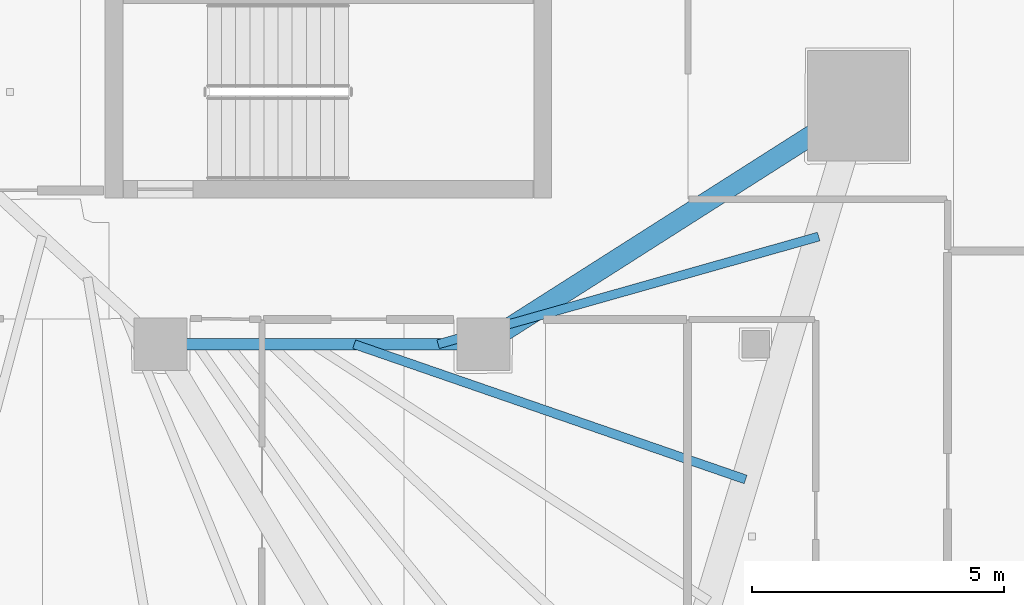
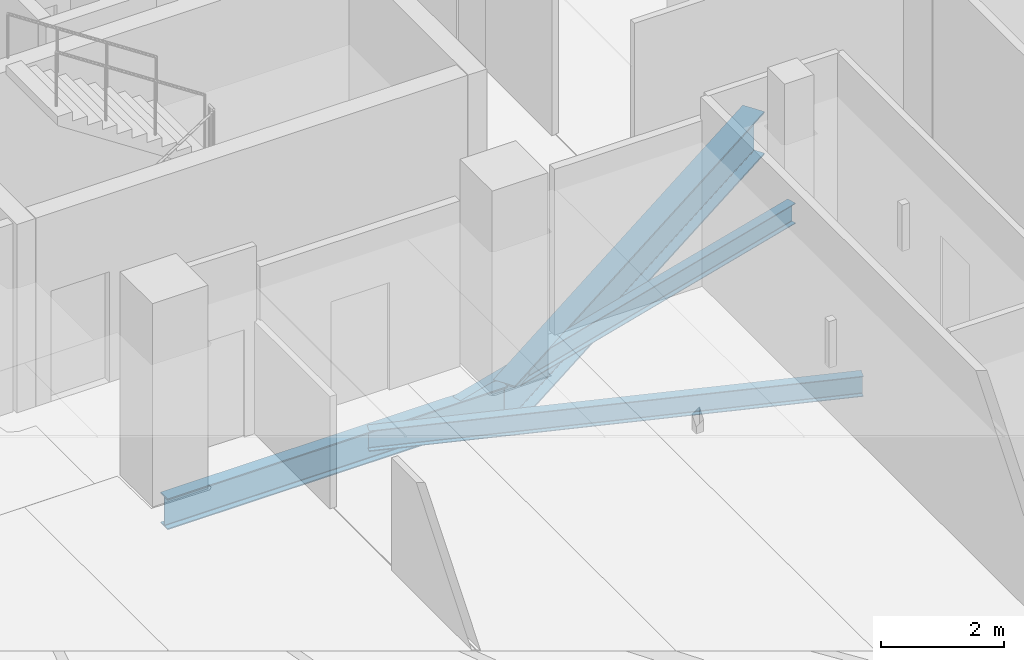
# One storey, part 10 of 36: 4 beams.
"""IFC4 building model written with IfcOpenShell, lengths in metres."""

from ifc_helpers import new_model, si_unit, direction, frame, origin, origin_2d, place, context, subcontext, project, spatial, i_section, extrude, material, material_profile, profile_set, type_object, element, save


model = new_model("IFC4")

# Units and contexts
model_context = context("Model", 3, precision=1e-05, world=origin(), true_north=direction((0.0, 1.0)))
body_context = subcontext(model_context, "Body", "Model", "MODEL_VIEW")
ifc_project = project(units=[si_unit("LENGTHUNIT", "METRE"), si_unit("AREAUNIT", "SQUARE_METRE"), si_unit("VOLUMEUNIT", "CUBIC_METRE"), si_unit("PLANEANGLEUNIT", "RADIAN"), si_unit("MASSUNIT", "GRAM", prefix="KILO")], contexts=[model_context])

# Site, building, storey
site_placement = place(None, origin())
site = spatial("IfcSite", under=ifc_project, at=site_placement, CompositionType="ELEMENT")
building_placement = place(site_placement, origin())
building = spatial("IfcBuilding", under=site, at=building_placement, Name="Qorvath Tower", CompositionType="ELEMENT")
storey_placement = place(building_placement, frame((0.0, 0.0, 170.550048828125)))
storey = spatial("IfcBuildingStorey", under=building, at=storey_placement, Name="L39", CompositionType="ELEMENT", Elevation=170.550048828125)

# Beams
ifc_material_1 = material(Name="Steel ASTM A992 Grade 50", Category="steel")
ifc_material_profile_1 = material_profile(ifc_material_1, i_section(OverallWidth=0.39892578125, OverallDepth=0.85498046875, WebThickness=0.018310546875, FlangeThickness=0.029296875, FilletRadius=0.02001953125, at=origin_2d()), Name="W33x201")
ifc_profile_set_1 = profile_set([ifc_material_profile_1], Name="Steel ASTM A992 Grade 50")
beam_type_1 = type_object("IfcBeamType", Name="BM-FG2", PredefinedType="BEAM", material=ifc_profile_set_1)
beam_1_placement = place(storey_placement, frame((-17.199951171875, -11.449951171875, -0.697509765625), z_axis=(0.843634090834, 0.536918542037, 0.0), x_axis=(-0.536918542037, 0.843634090834, 0.0)))
element("IfcBeam", 1, at=beam_1_placement, inside=storey, type_object=beam_type_1, Name="Radial Floor Girder CC3-MC4 L39", PredefinedType="BEAM", context=body_context, shape_type="SweptSolid", body=[
    extrude(i_section(OverallWidth=0.39892578125, OverallDepth=0.85498046875, WebThickness=0.018310546875, FlangeThickness=0.029296875, FilletRadius=0.02001953125, at=origin_2d()), origin(), (0.0, 0.0, 1.0), 8.806884765625),
])
ifc_material_2 = material(Name="Steel ASTM A992 Grade 50", Category="steel")
ifc_material_profile_2 = material_profile(ifc_material_2, i_section(OverallWidth=0.22998046875, OverallDepth=0.616943359375, WebThickness=0.01318359375, FlangeThickness=0.022216796875, FilletRadius=0.014892578125, at=origin_2d()), Name="W24x94")
ifc_profile_set_2 = profile_set([ifc_material_profile_2], Name="Steel ASTM A992 Grade 50")
beam_type_2 = type_object("IfcBeamType", Name="BM-FG6", PredefinedType="BEAM", material=ifc_profile_set_2)
beam_2_placement = place(storey_placement, frame((-17.199951171875, -11.449951171875, -0.57861328125), z_axis=(-1.0, 0.0, 0.0), x_axis=(0.0, -1.0, 0.0)))
element("IfcBeam", 2, at=beam_2_placement, inside=storey, type_object=beam_type_2, Name="Core Ring Girder CC3-CC4 L39", PredefinedType="BEAM", context=body_context, shape_type="SweptSolid", body=[
    extrude(i_section(OverallWidth=0.22998046875, OverallDepth=0.616943359375, WebThickness=0.01318359375, FlangeThickness=0.022216796875, FilletRadius=0.014892578125, at=origin_2d()), origin(), (0.0, 0.0, 1.0), 6.400146484375),
])
ifc_material_3 = material(Name="Steel ASTM A992 Grade 50", Category="steel")
ifc_material_profile_3 = material_profile(ifc_material_3, i_section(OverallWidth=0.177978515625, OverallDepth=0.406005859375, WebThickness=0.0078125, FlangeThickness=0.0126953125, FilletRadius=0.010986328125, at=origin_2d()), Name="W16x40")
ifc_profile_set_3 = profile_set([ifc_material_profile_3], Name="Steel ASTM A992 Grade 50")
beam_type_3 = type_object("IfcBeamType", Name="BM-FJ3", PredefinedType="JOIST", material=ifc_profile_set_3)
beam_3_placement = place(storey_placement, frame((-18.095947265625, -11.449951171875, -0.47314453125), z_axis=(0.962222206221, 0.272265359264, 0.0), x_axis=(-0.272265359264, 0.962222206221, 0.0)))
element("IfcBeam", 3, at=beam_3_placement, inside=storey, type_object=beam_type_3, Name="Composite Floor Joist SE1 L39", PredefinedType="JOIST", context=body_context, shape_type="SweptSolid", body=[
    extrude(i_section(OverallWidth=0.177978515625, OverallDepth=0.406005859375, WebThickness=0.0078125, FlangeThickness=0.0126953125, FilletRadius=0.010986328125, at=origin_2d()), origin(), (0.0, 0.0, 1.0), 7.841552734375),
])
beam_4_placement = place(storey_placement, frame((-19.760009765625, -11.449951171875, -0.47314453125), z_axis=(0.945168345309, -0.326583525342, 0.0), x_axis=(0.326583525342, 0.945168345309, 0.0)))
element("IfcBeam", 4, at=beam_4_placement, inside=storey, type_object=beam_type_3, Name="Composite Floor Joist SE3 L39", PredefinedType="JOIST", context=body_context, shape_type="SweptSolid", body=[
    extrude(i_section(OverallWidth=0.177978515625, OverallDepth=0.406005859375, WebThickness=0.0078125, FlangeThickness=0.0126953125, FilletRadius=0.010986328125, at=origin_2d()), origin(), (0.0, 0.0, 1.0), 8.21044921875),
])

save(model, "model.ifc")
